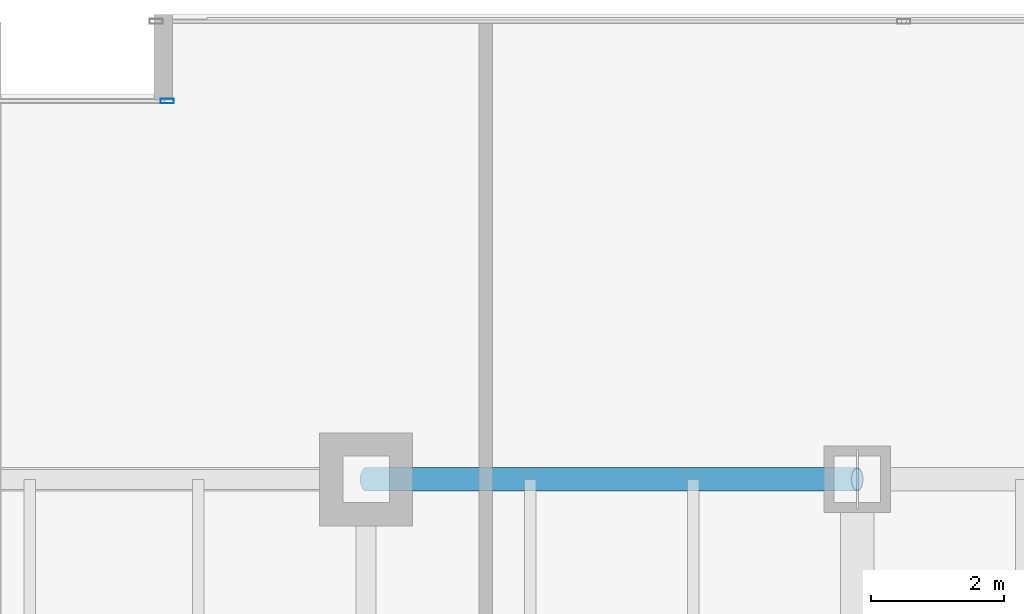
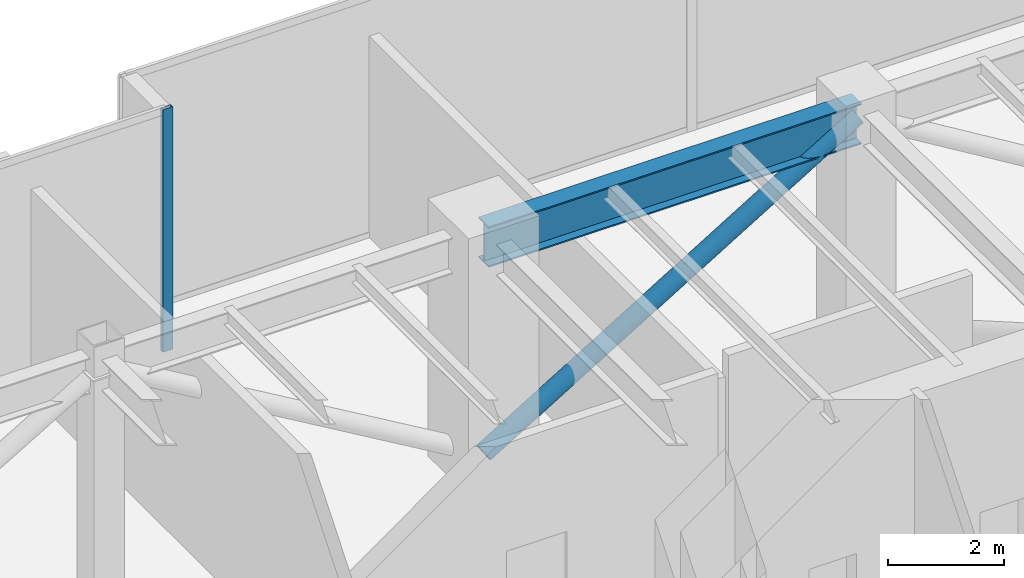
# One storey, part 20 of 38: 2 members, 1 beam, 1 element without a shape of its own.
"""IFC4 building model written with IfcOpenShell, lengths in metres."""

from ifc_helpers import new_model, si_unit, direction, frame, origin, origin_2d, place, context, subcontext, project, spatial, hollow_rectangle, hollow_circle, i_section, extrude, source, transform, mapped, material, layer, layer_set, material_profile, profile_set, type_object, type_shapes, element, aggregate, save


model = new_model("IFC4")

# Units and contexts
model_context = context("Model", 3, precision=1e-05, world=origin(), true_north=direction((0.0, 1.0)))
body_context = subcontext(model_context, "Body", "Model", "MODEL_VIEW")
ifc_project = project(units=[si_unit("LENGTHUNIT", "METRE"), si_unit("AREAUNIT", "SQUARE_METRE"), si_unit("VOLUMEUNIT", "CUBIC_METRE"), si_unit("PLANEANGLEUNIT", "RADIAN"), si_unit("MASSUNIT", "GRAM", prefix="KILO")], contexts=[model_context])

# Site, building, storey
site_placement = place(None, origin())
site = spatial("IfcSite", under=ifc_project, at=site_placement, CompositionType="ELEMENT")
building_placement = place(site_placement, origin())
building = spatial("IfcBuilding", under=site, at=building_placement, Name="Haelvirn Gate Laboratories", CompositionType="ELEMENT")
storey_placement = place(building_placement, frame((0.0, 0.0, 94.89990234375)))
storey = spatial("IfcBuildingStorey", under=building, at=storey_placement, Name="L23", CompositionType="ELEMENT", Elevation=94.89990234375)

# Beam
ifc_material_1 = material(Name="Steel SM420", Category="steel")
ifc_material_profile_1 = material_profile(ifc_material_1, i_section(OverallWidth=0.35009765625, OverallDepth=0.85009765625, WebThickness=0.01611328125, FlangeThickness=0.028076171875, at=origin_2d()), Name="H-850x350x16x28")
ifc_profile_set_1 = profile_set([ifc_material_profile_1], Name="Steel SM420")
beam_type = type_object("IfcBeamType", Name="BM-AG-850", PredefinedType="BEAM", material=ifc_profile_set_1)
shared_shape_1 = source(origin(), body_context, "Body", "SweptSolid", [
    extrude(i_section(OverallWidth=0.35009765625, OverallDepth=0.85009765625, WebThickness=0.01611328125, FlangeThickness=0.028076171875, at=origin_2d()), origin(), (0.0, 0.0, 1.0), 7.39990234375),
])
type_shapes(beam_type, [shared_shape_1])
beam_placement = place(storey_placement, frame((52.60009765625, 41.60009765625, 4.6650390625), z_axis=(1.0, 0.0, 0.0), x_axis=(0.0, 1.0, 0.0)))
element("IfcBeam", 1, at=beam_placement, inside=storey, type_object=beam_type, Name="L23 Primary Girder Y41.6 (52.6-60.0)", PredefinedType="BEAM", context=body_context, shape_type="MappedRepresentation", body=[
    mapped(shared_shape_1, transform((0.0, 0.0, 0.0), scale=1.0)),
])

# Member
ifc_material_2 = material(Name="Steel SM355", Category="steel")
ifc_material_profile_2 = material_profile(ifc_material_2, hollow_circle(Radius=0.177734375, WallThickness=0.013916015625, at=origin_2d()), Name="CHS-355x14")
ifc_profile_set_2 = profile_set([ifc_material_profile_2], Name="Steel SM355")
member_type_1 = type_object("IfcMemberType", Name="MEM-BELT-1", PredefinedType="STRUT", material=ifc_profile_set_2)
shared_shape_2 = source(origin(), body_context, "Body", "SweptSolid", [
    extrude(hollow_circle(Radius=0.177734375, WallThickness=0.013916015625, at=origin_2d()), origin(), (0.0, 0.0, 1.0), 8.655517578125),
])
type_shapes(member_type_1, [shared_shape_2])
member_1_placement = place(storey_placement, frame((52.60009765625, 41.60009765625, 0.25), z_axis=(0.854931378918, 0.0, 0.518741108205), x_axis=(0.0, 1.0, 0.0)))
element("IfcMember", 2, at=member_1_placement, inside=storey, type_object=member_type_1, Name="L23 Perimeter Belt Truss N7", PredefinedType="STRUT", context=body_context, shape_type="MappedRepresentation", body=[
    mapped(shared_shape_2, transform((0.0, 0.0, 0.0), scale=1.0)),
])

# Curtain wall, member
ifc_material_3 = material(Name="Anodised bronze unitised aluminium & triple low-E glass", Category="aluminium")
ifc_layer = layer(ifc_material_3, 0.18408203125, Name="CW-SYS-2")
ifc_layer_set = layer_set([ifc_layer], Name="Anodised bronze unitised aluminium & triple low-E glass")
curtain_wall_type = type_object("IfcCurtainWallType", Name="CW-SYS-2", PredefinedType="NOTDEFINED", material=ifc_layer_set)
curtain_wall_placement = place(storey_placement, origin())
curtain_wall = element("IfcCurtainWall", 3, at=curtain_wall_placement, inside=storey, type_object=curtain_wall_type, Name="L23 Unitised Curtain Wall CW-L23-P0-E12-1", PredefinedType="NOTDEFINED")
ifc_material_4 = material(Name="Extruded aluminium 6063-T6 (anodised bronze)", Category="aluminium")
ifc_material_profile_3 = material_profile(ifc_material_4, hollow_rectangle(XDim=0.074951171875, YDim=0.199951171875, WallThickness=0.0048828125, at=origin_2d()), Name="CWM-200x75x5")
ifc_profile_set_3 = profile_set([ifc_material_profile_3], Name="Extruded aluminium 6063-T6 (anodised bronze)")
member_type_2 = type_object("IfcMemberType", Name="CWM-T200", PredefinedType="MULLION", material=ifc_profile_set_3)
shared_shape_3 = source(origin(), body_context, "Body", "SweptSolid", [
    extrude(hollow_rectangle(XDim=0.074951171875, YDim=0.199951171875, WallThickness=0.0048828125, at=origin_2d()), origin(), (0.0, 0.0, 1.0), 5.090087890625),
])
type_shapes(member_type_2, [shared_shape_3])
member_2_placement = place(storey_placement, frame((49.6025390625, 47.300048828125, 0.0), z_axis=(0.0, 0.0, 1.0), x_axis=(0.0, 1.0, 0.0)))
member_2 = element("IfcMember", 4, at=member_2_placement, type_object=member_type_2, Name="CW2 mullion 3", PredefinedType="MULLION", context=body_context, shape_type="MappedRepresentation", body=[
    mapped(shared_shape_3, transform((0.0, 0.0, 0.0), scale=1.0)),
])
aggregate(curtain_wall, [member_2])

save(model, "model.ifc")
